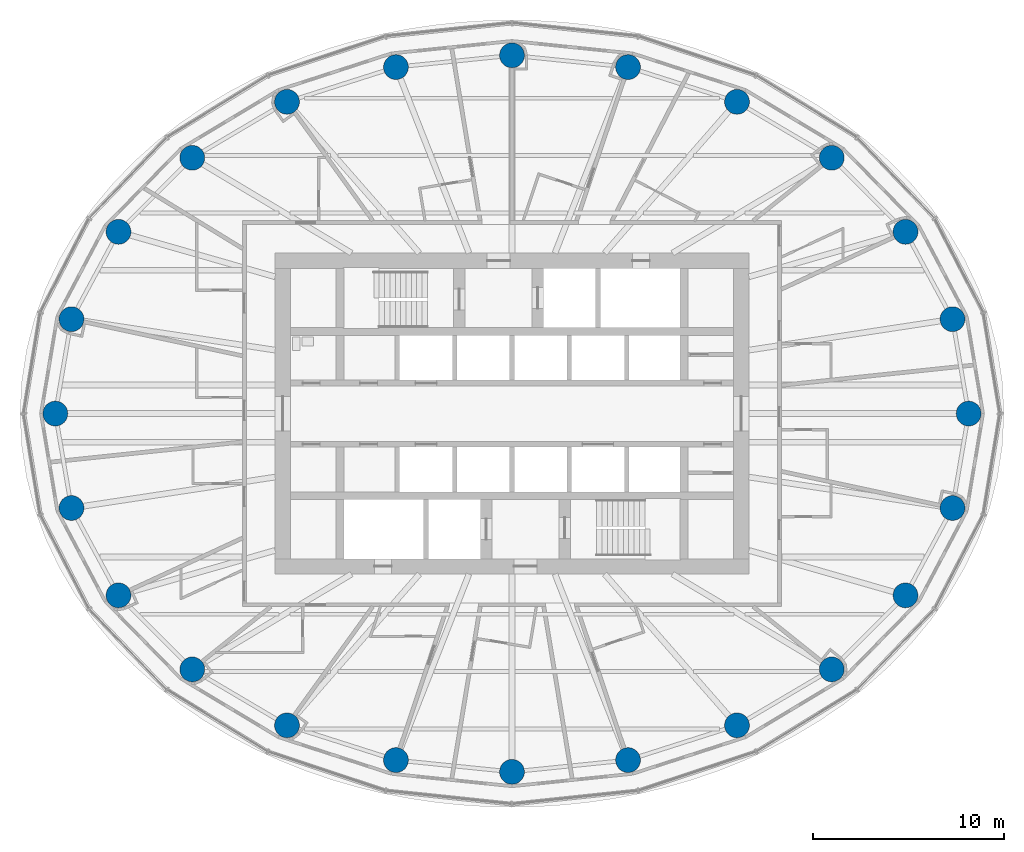
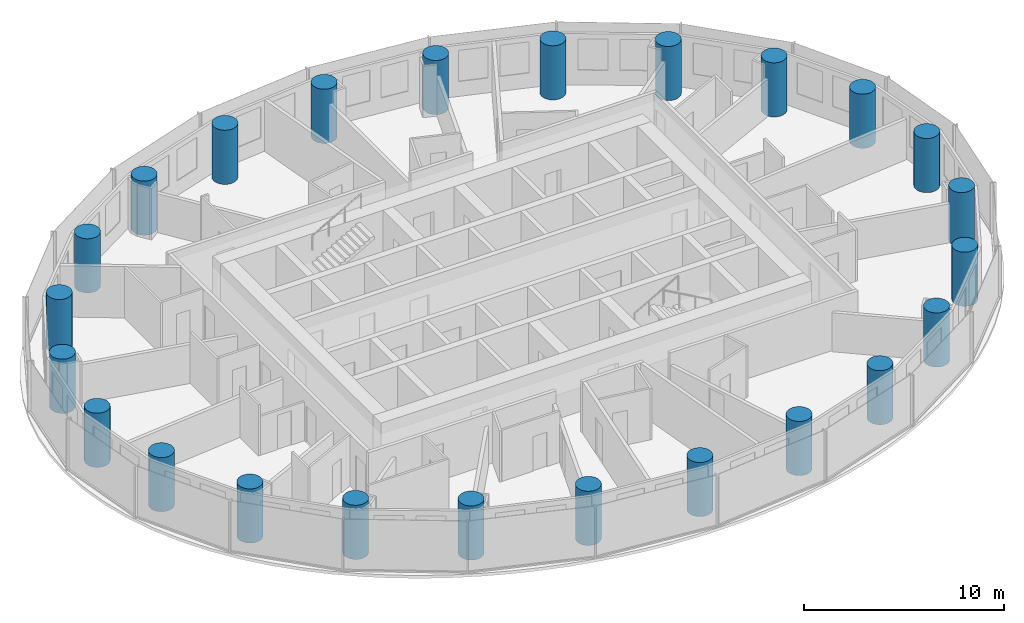
# One storey, part 1 of 14: 24 columns.
"""IFC4 building model written with IfcOpenShell, lengths in metres."""

from ifc_helpers import new_model, si_unit, direction, frame, origin, origin_2d, place, context, subcontext, project, spatial, circle, extrude, material, material_profile, profile_set, type_object, element, save


model = new_model("IFC4")

# Units and contexts
model_context = context("Model", 3, precision=1e-05, world=origin(), true_north=direction((0.0, 1.0)))
body_context = subcontext(model_context, "Body", "Model", "MODEL_VIEW")
ifc_project = project(units=[si_unit("LENGTHUNIT", "METRE"), si_unit("AREAUNIT", "SQUARE_METRE"), si_unit("VOLUMEUNIT", "CUBIC_METRE"), si_unit("PLANEANGLEUNIT", "RADIAN"), si_unit("MASSUNIT", "GRAM", prefix="KILO")], contexts=[model_context])

# Site, building, storey
site_placement = place(None, origin())
site = spatial("IfcSite", under=ifc_project, at=site_placement, CompositionType="ELEMENT")
building_placement = place(site_placement, origin())
building = spatial("IfcBuilding", under=site, at=building_placement, Name="Hankou Lantern Tower", CompositionType="ELEMENT")
storey_placement = place(building_placement, frame((0.0, 0.0, 112.199951171875)))
storey = spatial("IfcBuildingStorey", under=building, at=storey_placement, Name="L28", CompositionType="ELEMENT", Elevation=112.199951171875)

# Columns
ifc_material = material(Name="Concrete C60", Category="concrete")
ifc_material_profile = material_profile(ifc_material, circle(Radius=0.64990234375, at=origin_2d()), Name="RC D1300")
ifc_profile_set = profile_set([ifc_material_profile], Name="Concrete C60")
column_type = type_object("IfcColumnType", Name="TC3 PERIMETER COLUMN RC D1300", PredefinedType="COLUMN", material=ifc_profile_set)
for number, where, z_axis, x_axis, name in (
    (1, (23.89990234375, 0.0, 0.0), (0.0, 0.0, 1.0), (1.0, 0.0, 0.0), "Column R01 L28"),
    (2, (23.054931640625, 4.942138671875, 0.0), (0.0, 0.0, 1.0), (1.0, 0.0, 0.0), "Column R02 L28"),
    (3, (20.595703125, 9.5126953125, 0.0), (0.0, 0.0, 1.0), (1.0, 0.0, 0.0), "Column R03 L28"),
    (4, (16.73388671875, 13.38720703125, 0.0), (0.0, 0.0, 1.0), (1.0, 0.0, 0.0), "Column R04 L28"),
    (5, (11.775390625, 16.31640625, 0.0), (0.0, 0.0, 1.0), (1.0, 0.0, 0.0), "Column R05 L28"),
    (6, (6.073974609375, 18.134521484375, 0.0), (0.0, 0.0, 1.0), (1.0, 0.0, 0.0), "Column R06 L28"),
    (7, (0.0, 18.75, 0.0), (0.0, 0.0, 1.0), (1.0, 0.0, 0.0), "Column R07 L28"),
    (8, (-6.073974609375, 18.134521484375, 0.0), (0.0, 0.0, 1.0), (1.0, 0.0, 0.0), "Column R08 L28"),
    (9, (-11.775390625, 16.31640625, 0.0), (0.0, 0.0, 1.0), (1.0, 0.0, 0.0), "Column R09 L28"),
    (10, (-16.73388671875, 13.38720703125, 0.0), (0.0, 0.0, 1.0), (1.0, 0.0, 0.0), "Column R10 L28"),
    (11, (-20.595703125, 9.5126953125, 0.0), (0.0, 0.0, 1.0), (1.0, 0.0, 0.0), "Column R11 L28"),
    (12, (-23.054931640625, 4.942138671875, 0.0), (0.0, 0.0, 1.0), (1.0, 0.0, 0.0), "Column R12 L28"),
    (13, (-23.89990234375, 0.0, 0.0), (0.0, 0.0, 1.0), (1.0, 0.0, 0.0), "Column R13 L28"),
    (14, (-23.054931640625, -4.942138671875, 0.0), (0.0, 0.0, 1.0), (1.0, 0.0, 0.0), "Column R14 L28"),
    (15, (-20.595703125, -9.5126953125, 0.0), (0.0, 0.0, 1.0), (1.0, 0.0, 0.0), "Column R15 L28"),
    (16, (-16.73388671875, -13.38720703125, 0.0), (0.0, 0.0, 1.0), (1.0, 0.0, 0.0), "Column R16 L28"),
    (17, (-11.775390625, -16.31640625, 0.0), (0.0, 0.0, 1.0), (1.0, 0.0, 0.0), "Column R17 L28"),
    (18, (-6.073974609375, -18.134521484375, 0.0), (0.0, 0.0, 1.0), (1.0, 0.0, 0.0), "Column R18 L28"),
    (19, (0.0, -18.75, 0.0), (0.0, 0.0, 1.0), (1.0, 0.0, 0.0), "Column R19 L28"),
    (20, (6.073974609375, -18.134521484375, 0.0), (0.0, 0.0, 1.0), (1.0, 0.0, 0.0), "Column R20 L28"),
    (21, (11.775390625, -16.31640625, 0.0), (0.0, 0.0, 1.0), (1.0, 0.0, 0.0), "Column R21 L28"),
    (22, (16.73388671875, -13.38720703125, 0.0), (0.0, 0.0, 1.0), (1.0, 0.0, 0.0), "Column R22 L28"),
    (23, (20.595703125, -9.5126953125, 0.0), (0.0, 0.0, 1.0), (1.0, 0.0, 0.0), "Column R23 L28"),
    (24, (23.054931640625, -4.942138671875, 0.0), (0.0, 0.0, 1.0), (1.0, 0.0, 0.0), "Column R24 L28"),
):
    element("IfcColumn", number, at=place(storey_placement, frame(where, z_axis=z_axis, x_axis=x_axis)), inside=storey, type_object=column_type, Name=name, PredefinedType="COLUMN", context=body_context, shape_type="SweptSolid", body=[
        extrude(circle(Radius=0.64990234375, at=origin_2d()), origin(), (0.0, 0.0, 1.0), 3.300048828125),
    ])

save(model, "model.ifc")
